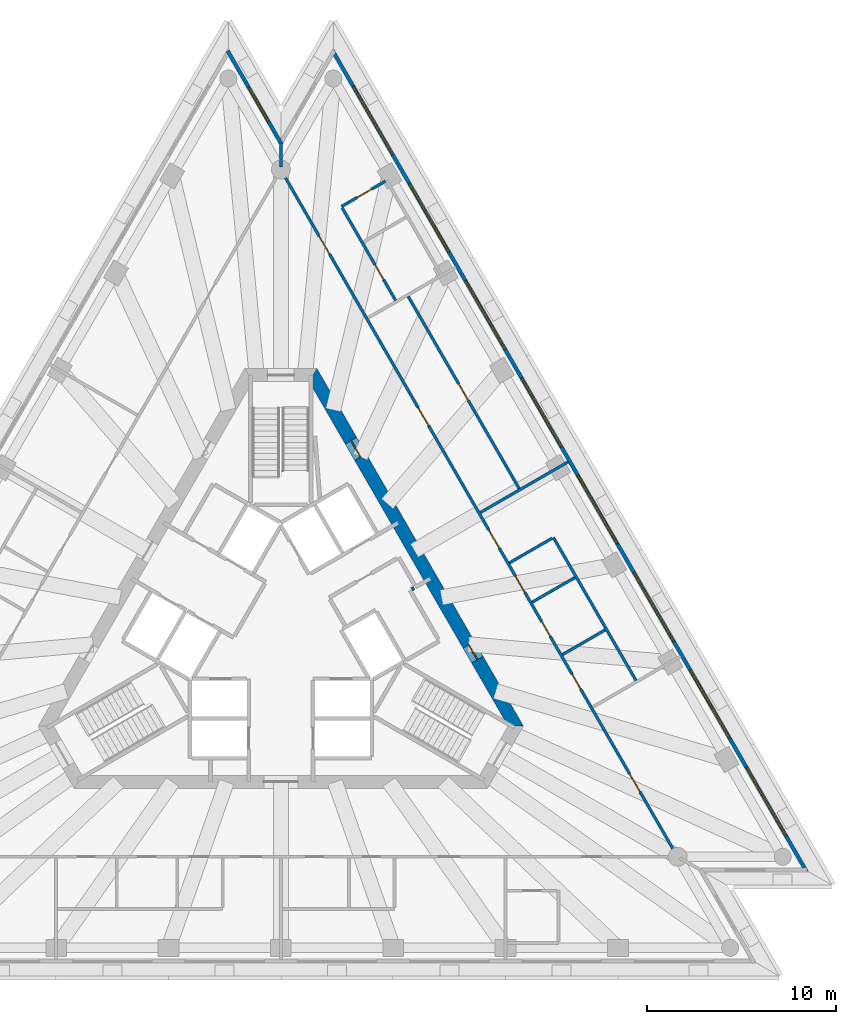
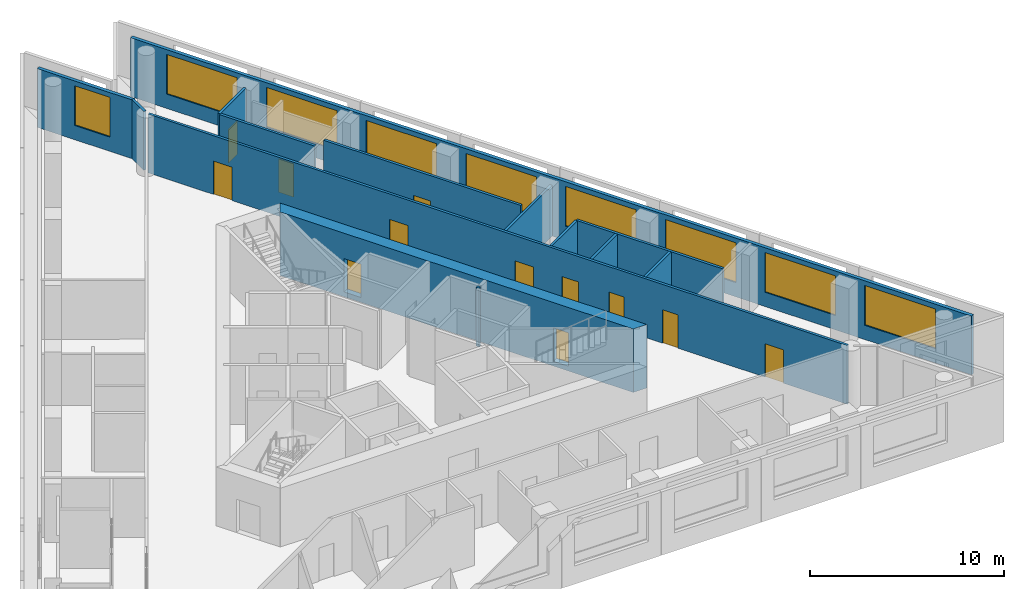
# One storey, part 6 of 9: 14 walls, 12 doors, 9 windows, 21 openings.
"""IFC4 building model written with IfcOpenShell, lengths in metres."""

from ifc_helpers import new_model, si_unit, direction, frame, frame_2d, origin, place, context, subcontext, project, spatial, polyline, rectangle, outline, extrude, material, layer, layer_set, layer_usage, type_object, element, fill, save


model = new_model("IFC4")

# Units and contexts
model_context = context("Model", 3, precision=1e-05, world=origin(), true_north=direction((0.0, 1.0)))
body_context = subcontext(model_context, "Body", "Model", "MODEL_VIEW")
ifc_project = project(units=[si_unit("LENGTHUNIT", "METRE"), si_unit("AREAUNIT", "SQUARE_METRE"), si_unit("VOLUMEUNIT", "CUBIC_METRE"), si_unit("PLANEANGLEUNIT", "RADIAN"), si_unit("MASSUNIT", "GRAM", prefix="KILO")], contexts=[model_context])

# Site, building, storey
site_placement = place(None, origin())
site = spatial("IfcSite", under=ifc_project, at=site_placement, CompositionType="ELEMENT")
building_placement = place(site_placement, origin())
building = spatial("IfcBuilding", under=site, at=building_placement, Name="Triada Interchange Tower", CompositionType="ELEMENT")
storey_placement = place(building_placement, frame((0.0, 0.0, 231.300048828125)))
storey = spatial("IfcBuildingStorey", under=building, at=storey_placement, Name="L54", CompositionType="ELEMENT", Elevation=231.300048828125)

# Wall
ifc_material_1 = material(Name="Concrete C30/37", Category="concrete")
ifc_layer_1 = layer(ifc_material_1, 0.199951171875)
ifc_layer_set_1 = layer_set([ifc_layer_1], Name="CORE WALL 200 EI 90")
wall_type_1 = type_object("IfcWallType", Name="CORE WALL 200 EI 90", PredefinedType="SOLIDWALL", material=ifc_layer_set_1)
wall_1_placement = place(storey_placement, frame((6.912109375, 2.028076171875, 0.0), z_axis=(0.0, 0.0, 1.0), x_axis=(0.866559367082, 0.499074005857, 0.0)))
element("IfcWall", 1, at=wall_1_placement, inside=storey, type_object=wall_type_1, Name="Wall L53 86", PredefinedType="SOLIDWALL", context=body_context, shape_type="SweptSolid", body=[
    extrude(rectangle(XDim=0.152099609375, YDim=0.199951171875, at=frame_2d((0.076171875, 0.0))), origin(), (0.0, 0.0, 1.0), 3.699951171875),
])

# Wall, openings, doors
ifc_material_2 = material(Name="Concrete C50/60", Category="concrete")
ifc_layer_2 = layer(ifc_material_2, 0.699951171875)
ifc_layer_set_2 = layer_set([ifc_layer_2], Name="Core wall C 700")
wall_type_2 = type_object("IfcWallType", Name="Core wall C 700", PredefinedType="SHEAR", material=ifc_layer_set_2)
wall_2_placement = place(storey_placement, frame((12.4130859375, -5.199951171875, -0.300048828125), z_axis=(0.0, 0.0, 1.0), x_axis=(-0.500011533395, 0.866018744874, 0.0)))
wall_2 = element("IfcWall", 2, at=wall_2_placement, inside=storey, type_object=wall_type_2, Name="Core wall WC06 L54", PredefinedType="SHEAR", context=body_context, shape_type="SweptSolid", body=[
    extrude(outline(polyline([(-0.201904296875, -0.35009765625), (1.781982421875, -0.35009765625), (3.76611328125, -0.35009765625), (5.75, -0.35009765625), (7.734130859375, -0.35009765625), (9.718017578125, -0.35009765625), (11.7021484375, -0.35009765625), (13.68603515625, -0.35009765625), (15.670166015625, -0.35009765625), (17.654052734375, -0.35009765625), (19.63818359375, -0.35009765625), (21.6220703125, -0.35009765625), (21.218017578125, 0.35009765625), (19.307373046875, 0.35009765625), (17.39697265625, 0.35009765625), (15.486328125, 0.35009765625), (13.57568359375, 0.35009765625), (11.665283203125, 0.35009765625), (9.754638671875, 0.35009765625), (7.84423828125, 0.35009765625), (5.93359375, 0.35009765625), (4.02294921875, 0.35009765625), (2.112548828125, 0.35009765625), (0.201904296875, 0.35009765625), (-0.201904296875, -0.35009765625)])), origin(), (0.0, 0.0, 1.0), 4.0),
])
opening_1_placement = place(wall_2_placement, frame((4.054931640625, 0.0, 0.300048828125)))
opening_1 = element("IfcOpeningElement", 3, at=opening_1_placement, cuts=wall_2, Name="Opening D53-45", PredefinedType="OPENING", context=body_context, shape_type="SweptSolid", body=[
    extrude(rectangle(XDim=0.89990234375, YDim=2.10009765625, at=frame_2d((0.449951171875, 1.050048828125))), frame((0.0, 0.360107421875, 0.0), z_axis=(0.0, -1.0, 0.0), x_axis=(1.0, 0.0, 0.0)), (0.0, 0.0, 1.0), 0.72021484375),
])
opening_2_placement = place(wall_2_placement, frame((16.4150390625, 0.0, 0.300048828125)))
opening_2 = element("IfcOpeningElement", 4, at=opening_2_placement, cuts=wall_2, Name="Opening D53-47", PredefinedType="OPENING", context=body_context, shape_type="SweptSolid", body=[
    extrude(rectangle(XDim=1.0, YDim=2.10009765625, at=frame_2d((0.5, 1.050048828125))), frame((0.0, 0.360107421875, 0.0), z_axis=(0.0, -1.0, 0.0), x_axis=(1.0, 0.0, 0.0)), (0.0, 0.0, 1.0), 0.72021484375),
])
ifc_material_3 = material(Name="Steel S235 door leaf", Category="steel")
door_type_1 = type_object("IfcDoorType", Name="SERVICE DOOR 1000 EI2 45-C5S200", OperationType="NOTDEFINED", PredefinedType="DOOR", material=ifc_material_3)
door_1_placement = place(opening_2_placement, origin())
door_1 = element("IfcDoor", 5, at=door_1_placement, inside=storey, type_object=door_type_1, Name="Door D53-47 L54", OperationType="SINGLE_SWING_RIGHT", OverallHeight=2.10009765625, OverallWidth=1.0, PredefinedType="DOOR", context=body_context, shape_type="SweptSolid", body=[
    extrude(rectangle(XDim=1.0, YDim=2.10009765625, at=frame_2d((0.5, 1.050048828125))), frame((0.0, 0.02490234375, 0.0), z_axis=(0.0, -1.0, 0.0), x_axis=(1.0, 0.0, 0.0)), (0.0, 0.0, 1.0), 0.050048828125),
])
fill(opening_2, door_1)
door_type_2 = type_object("IfcDoorType", Name="SERVICE DOOR 900 EI2 45-C5S200", OperationType="NOTDEFINED", PredefinedType="DOOR", material=ifc_material_3)
door_2_placement = place(opening_1_placement, origin())
door_2 = element("IfcDoor", 6, at=door_2_placement, inside=storey, type_object=door_type_2, Name="Door D53-45 L54", OperationType="SINGLE_SWING_RIGHT", OverallHeight=2.10009765625, OverallWidth=0.89990234375, PredefinedType="DOOR", context=body_context, shape_type="SweptSolid", body=[
    extrude(rectangle(XDim=0.89990234375, YDim=2.10009765625, at=frame_2d((0.449951171875, 1.050048828125))), frame((0.0, 0.02490234375, 0.0), z_axis=(0.0, -1.0, 0.0), x_axis=(1.0, 0.0, 0.0)), (0.0, 0.0, 1.0), 0.050048828125),
])
fill(opening_1, door_2)

# Wall, openings, windows
ifc_material_4 = material(Name="Cement board")
ifc_layer_3 = layer(ifc_material_4, 0.02001953125, Name="Cement board cladding")
ifc_material_5 = material(Name="Sheathing board")
ifc_layer_4 = layer(ifc_material_5, 0.014892578125, Name="Sheathing board")
ifc_material_6 = material(Name="Mineral wool")
ifc_layer_5 = layer(ifc_material_6, 0.14990234375, Name="Mineral wool between steel studs")
ifc_material_7 = material(Name="Gypsum board")
ifc_layer_6 = layer(ifc_material_7, 0.014892578125, Name="Plasterboard lining")
ifc_layer_set_3 = layer_set([ifc_layer_3, ifc_layer_4, ifc_layer_5, ifc_layer_6], Name="External wall 200")
ifc_layer_usage = layer_usage(ifc_layer_set_3, "AXIS2", "POSITIVE", -0.10009765625)
wall_type_3 = type_object("IfcWallType", Name="External wall 200", PredefinedType="ELEMENTEDWALL", material=ifc_layer_set_3)
wall_3_placement = place(storey_placement, frame((27.781982421875, -12.884033203125, 0.0), z_axis=(0.0, 0.0, 1.0), x_axis=(-0.500023345841, 0.866011924637, 0.0)))
wall_3 = element("IfcWall", 7, at=wall_3_placement, inside=storey, type_object=wall_type_3, material=ifc_layer_usage, Name="External wall L54 NE", PredefinedType="ELEMENTEDWALL", context=body_context, shape_type="SweptSolid", body=[
    extrude(rectangle(XDim=50.07763671875, YDim=0.199951171875, at=frame_2d((25.038818359375, 0.0))), origin(), (0.0, 0.0, 1.0), 3.699951171875),
])
opening_3_placement = place(wall_3_placement, frame((2.1708984375, 0.0, 0.89990234375)))
opening_3 = element("IfcOpeningElement", 8, at=opening_3_placement, cuts=wall_3, Name="Opening WC21", PredefinedType="OPENING", context=body_context, shape_type="SweptSolid", body=[
    extrude(rectangle(XDim=4.199951171875, YDim=2.5, at=frame_2d((2.10009765625, 1.25))), frame((0.0, 0.10986328125, 0.0), z_axis=(0.0, -1.0, 0.0), x_axis=(1.0, 0.0, 0.0)), (0.0, 0.0, 1.0), 0.219970703125),
])
opening_4_placement = place(wall_3_placement, frame((8.10791015625, 0.0, 0.89990234375)))
opening_4 = element("IfcOpeningElement", 9, at=opening_4_placement, cuts=wall_3, Name="Opening WC22", PredefinedType="OPENING", context=body_context, shape_type="SweptSolid", body=[
    extrude(rectangle(XDim=4.199951171875, YDim=2.5, at=frame_2d((2.10009765625, 1.25))), frame((0.0, 0.10986328125, 0.0), z_axis=(0.0, -1.0, 0.0), x_axis=(1.0, 0.0, 0.0)), (0.0, 0.0, 1.0), 0.219970703125),
])
opening_5_placement = place(wall_3_placement, frame((14.0439453125, 0.0, 0.89990234375)))
opening_5 = element("IfcOpeningElement", 10, at=opening_5_placement, cuts=wall_3, Name="Opening WC23", PredefinedType="OPENING", context=body_context, shape_type="SweptSolid", body=[
    extrude(rectangle(XDim=4.199951171875, YDim=2.5, at=frame_2d((2.10009765625, 1.25))), frame((0.0, 0.10986328125, 0.0), z_axis=(0.0, -1.0, 0.0), x_axis=(1.0, 0.0, 0.0)), (0.0, 0.0, 1.0), 0.219970703125),
])
opening_6_placement = place(wall_3_placement, frame((19.98095703125, 0.0, 0.89990234375)))
opening_6 = element("IfcOpeningElement", 11, at=opening_6_placement, cuts=wall_3, Name="Opening WC24", PredefinedType="OPENING", context=body_context, shape_type="SweptSolid", body=[
    extrude(rectangle(XDim=4.199951171875, YDim=2.5, at=frame_2d((2.10009765625, 1.25))), frame((0.0, 0.10986328125, 0.0), z_axis=(0.0, -1.0, 0.0), x_axis=(1.0, 0.0, 0.0)), (0.0, 0.0, 1.0), 0.219970703125),
])
opening_7_placement = place(wall_3_placement, frame((25.9169921875, 0.0, 0.89990234375)))
opening_7 = element("IfcOpeningElement", 12, at=opening_7_placement, cuts=wall_3, Name="Opening WC25", PredefinedType="OPENING", context=body_context, shape_type="SweptSolid", body=[
    extrude(rectangle(XDim=4.199951171875, YDim=2.5, at=frame_2d((2.10009765625, 1.25))), frame((0.0, 0.10986328125, 0.0), z_axis=(0.0, -1.0, 0.0), x_axis=(1.0, 0.0, 0.0)), (0.0, 0.0, 1.0), 0.219970703125),
])
opening_8_placement = place(wall_3_placement, frame((31.85400390625, 0.0, 0.89990234375)))
opening_8 = element("IfcOpeningElement", 13, at=opening_8_placement, cuts=wall_3, Name="Opening WC26", PredefinedType="OPENING", context=body_context, shape_type="SweptSolid", body=[
    extrude(rectangle(XDim=4.199951171875, YDim=2.5, at=frame_2d((2.10009765625, 1.25))), frame((0.0, 0.10986328125, 0.0), z_axis=(0.0, -1.0, 0.0), x_axis=(1.0, 0.0, 0.0)), (0.0, 0.0, 1.0), 0.219970703125),
])
opening_9_placement = place(wall_3_placement, frame((37.7900390625, 0.0, 0.89990234375)))
opening_9 = element("IfcOpeningElement", 14, at=opening_9_placement, cuts=wall_3, Name="Opening WC27", PredefinedType="OPENING", context=body_context, shape_type="SweptSolid", body=[
    extrude(rectangle(XDim=4.199951171875, YDim=2.5, at=frame_2d((2.10009765625, 1.25))), frame((0.0, 0.10986328125, 0.0), z_axis=(0.0, -1.0, 0.0), x_axis=(1.0, 0.0, 0.0)), (0.0, 0.0, 1.0), 0.219970703125),
])
opening_10_placement = place(wall_3_placement, frame((43.72705078125, 0.0, 0.89990234375)))
opening_10 = element("IfcOpeningElement", 15, at=opening_10_placement, cuts=wall_3, Name="Opening WC28", PredefinedType="OPENING", context=body_context, shape_type="SweptSolid", body=[
    extrude(rectangle(XDim=4.199951171875, YDim=2.5, at=frame_2d((2.10009765625, 1.25))), frame((0.0, 0.10986328125, 0.0), z_axis=(0.0, -1.0, 0.0), x_axis=(1.0, 0.0, 0.0)), (0.0, 0.0, 1.0), 0.219970703125),
])
ifc_material_8 = material(Name="Double glazed aluminium window", Category="aluminium")
window_type_1 = type_object("IfcWindowType", Name="Ribbon window C face", PartitioningType="SINGLE_PANEL", PredefinedType="WINDOW", material=ifc_material_8)
window_1_placement = place(opening_3_placement, origin())
window_1 = element("IfcWindow", 16, at=window_1_placement, inside=storey, type_object=window_type_1, Name="Window L54 NE 1", OverallHeight=2.5, OverallWidth=4.199951171875, PartitioningType="SINGLE_PANEL", PredefinedType="WINDOW", context=body_context, shape_type="SweptSolid", body=[
    extrude(rectangle(XDim=4.199951171875, YDim=2.5, at=frame_2d((2.10009765625, 1.25))), frame((0.0, 0.030029296875, 0.0), z_axis=(0.0, -1.0, 0.0), x_axis=(1.0, 0.0, 0.0)), (0.0, 0.0, 1.0), 0.06005859375),
])
fill(opening_3, window_1)
window_2_placement = place(opening_4_placement, origin())
window_2 = element("IfcWindow", 17, at=window_2_placement, inside=storey, type_object=window_type_1, Name="Window L54 NE 2", OverallHeight=2.5, OverallWidth=4.199951171875, PartitioningType="SINGLE_PANEL", PredefinedType="WINDOW", context=body_context, shape_type="SweptSolid", body=[
    extrude(rectangle(XDim=4.199951171875, YDim=2.5, at=frame_2d((2.10009765625, 1.25))), frame((0.0, 0.030029296875, 0.0), z_axis=(0.0, -1.0, 0.0), x_axis=(1.0, 0.0, 0.0)), (0.0, 0.0, 1.0), 0.06005859375),
])
fill(opening_4, window_2)
window_3_placement = place(opening_5_placement, origin())
window_3 = element("IfcWindow", 18, at=window_3_placement, inside=storey, type_object=window_type_1, Name="Window L54 NE 3", OverallHeight=2.5, OverallWidth=4.199951171875, PartitioningType="SINGLE_PANEL", PredefinedType="WINDOW", context=body_context, shape_type="SweptSolid", body=[
    extrude(rectangle(XDim=4.199951171875, YDim=2.5, at=frame_2d((2.10009765625, 1.25))), frame((0.0, 0.030029296875, 0.0), z_axis=(0.0, -1.0, 0.0), x_axis=(1.0, 0.0, 0.0)), (0.0, 0.0, 1.0), 0.06005859375),
])
fill(opening_5, window_3)
window_4_placement = place(opening_6_placement, origin())
window_4 = element("IfcWindow", 19, at=window_4_placement, inside=storey, type_object=window_type_1, Name="Window L54 NE 4", OverallHeight=2.5, OverallWidth=4.199951171875, PartitioningType="SINGLE_PANEL", PredefinedType="WINDOW", context=body_context, shape_type="SweptSolid", body=[
    extrude(rectangle(XDim=4.199951171875, YDim=2.5, at=frame_2d((2.10009765625, 1.25))), frame((0.0, 0.030029296875, 0.0), z_axis=(0.0, -1.0, 0.0), x_axis=(1.0, 0.0, 0.0)), (0.0, 0.0, 1.0), 0.06005859375),
])
fill(opening_6, window_4)
window_5_placement = place(opening_7_placement, origin())
window_5 = element("IfcWindow", 20, at=window_5_placement, inside=storey, type_object=window_type_1, Name="Window L54 NE 5", OverallHeight=2.5, OverallWidth=4.199951171875, PartitioningType="SINGLE_PANEL", PredefinedType="WINDOW", context=body_context, shape_type="SweptSolid", body=[
    extrude(rectangle(XDim=4.199951171875, YDim=2.5, at=frame_2d((2.10009765625, 1.25))), frame((0.0, 0.030029296875, 0.0), z_axis=(0.0, -1.0, 0.0), x_axis=(1.0, 0.0, 0.0)), (0.0, 0.0, 1.0), 0.06005859375),
])
fill(opening_7, window_5)
window_6_placement = place(opening_8_placement, origin())
window_6 = element("IfcWindow", 21, at=window_6_placement, inside=storey, type_object=window_type_1, Name="Window L54 NE 6", OverallHeight=2.5, OverallWidth=4.199951171875, PartitioningType="SINGLE_PANEL", PredefinedType="WINDOW", context=body_context, shape_type="SweptSolid", body=[
    extrude(rectangle(XDim=4.199951171875, YDim=2.5, at=frame_2d((2.10009765625, 1.25))), frame((0.0, 0.030029296875, 0.0), z_axis=(0.0, -1.0, 0.0), x_axis=(1.0, 0.0, 0.0)), (0.0, 0.0, 1.0), 0.06005859375),
])
fill(opening_8, window_6)
window_7_placement = place(opening_9_placement, origin())
window_7 = element("IfcWindow", 22, at=window_7_placement, inside=storey, type_object=window_type_1, Name="Window L54 NE 7", OverallHeight=2.5, OverallWidth=4.199951171875, PartitioningType="SINGLE_PANEL", PredefinedType="WINDOW", context=body_context, shape_type="SweptSolid", body=[
    extrude(rectangle(XDim=4.199951171875, YDim=2.5, at=frame_2d((2.10009765625, 1.25))), frame((0.0, 0.030029296875, 0.0), z_axis=(0.0, -1.0, 0.0), x_axis=(1.0, 0.0, 0.0)), (0.0, 0.0, 1.0), 0.06005859375),
])
fill(opening_9, window_7)
window_8_placement = place(opening_10_placement, origin())
window_8 = element("IfcWindow", 23, at=window_8_placement, inside=storey, type_object=window_type_1, Name="Window L54 NE 8", OverallHeight=2.5, OverallWidth=4.199951171875, PartitioningType="SINGLE_PANEL", PredefinedType="WINDOW", context=body_context, shape_type="SweptSolid", body=[
    extrude(rectangle(XDim=4.199951171875, YDim=2.5, at=frame_2d((2.10009765625, 1.25))), frame((0.0, 0.030029296875, 0.0), z_axis=(0.0, -1.0, 0.0), x_axis=(1.0, 0.0, 0.0)), (0.0, 0.0, 1.0), 0.06005859375),
])
fill(opening_10, window_8)

# Wall, opening, window
wall_4_placement = place(storey_placement, frame((0.044921875, 25.534912109375, 0.0), z_axis=(0.0, 0.0, 1.0), x_axis=(-0.49995298266, 0.866052547557, 0.0)))
wall_4 = element("IfcWall", 24, at=wall_4_placement, inside=storey, type_object=wall_type_3, material=ifc_layer_usage, Name="External wall L54 N-2", PredefinedType="ELEMENTEDWALL", context=body_context, shape_type="SweptSolid", body=[
    extrude(rectangle(XDim=5.71435546875, YDim=0.199951171875, at=frame_2d((2.857177734375, 0.0))), origin(), (0.0, 0.0, 1.0), 3.699951171875),
])
opening_11_placement = place(wall_4_placement, frame((1.389892578125, 0.0, 0.89990234375)))
opening_11 = element("IfcOpeningElement", 25, at=opening_11_placement, cuts=wall_4, Name="Opening WC30", PredefinedType="OPENING", context=body_context, shape_type="SweptSolid", body=[
    extrude(rectangle(XDim=2.10009765625, YDim=2.5, at=frame_2d((1.050048828125, 1.25))), frame((0.0, 0.10986328125, 0.0), z_axis=(0.0, -1.0, 0.0), x_axis=(1.0, 0.0, 0.0)), (0.0, 0.0, 1.0), 0.219970703125),
])
window_type_2 = type_object("IfcWindowType", Name="Ribbon window C pocket", PartitioningType="SINGLE_PANEL", PredefinedType="WINDOW", material=ifc_material_8)
window_9_placement = place(opening_11_placement, origin())
window_9 = element("IfcWindow", 26, at=window_9_placement, inside=storey, type_object=window_type_2, Name="Window L54 N-2 1", OverallHeight=2.5, OverallWidth=2.10009765625, PartitioningType="SINGLE_PANEL", PredefinedType="WINDOW", context=body_context, shape_type="SweptSolid", body=[
    extrude(rectangle(XDim=2.10009765625, YDim=2.5, at=frame_2d((1.050048828125, 1.25))), frame((0.0, 0.030029296875, 0.0), z_axis=(0.0, -1.0, 0.0), x_axis=(1.0, 0.0, 0.0)), (0.0, 0.0, 1.0), 0.06005859375),
])
fill(opening_11, window_9)

# Walls
ifc_material_9 = material(Name="Gypsum board partition")
ifc_layer_7 = layer(ifc_material_9, 0.14990234375)
ifc_layer_set_4 = layer_set([ifc_layer_7], Name="PARTITION 150 EI 180")
wall_type_4 = type_object("IfcWallType", Name="PARTITION 150 EI 180", PredefinedType="PARTITIONING", material=ifc_layer_set_4)
wall_5_placement = place(storey_placement, frame((10.5439453125, 6.0869140625, 0.0), z_axis=(0.0, 0.0, 1.0), x_axis=(0.866032438121, 0.499987815973, 0.0)))
element("IfcWall", 27, at=wall_5_placement, inside=storey, type_object=wall_type_4, Name="Wall L53 2", PredefinedType="PARTITIONING", context=body_context, shape_type="SweptSolid", body=[
    extrude(rectangle(XDim=5.362548828125, YDim=0.14990234375, at=frame_2d((2.68115234375, 0.0))), origin(), (0.0, 0.0, 1.0), 3.199951171875),
])
wall_6_placement = place(storey_placement, frame((0.0, 24.35009765625, 0.0), z_axis=(0.0, 0.0, 1.0), x_axis=(0.0, 1.0, 0.0)))
element("IfcWall", 28, at=wall_6_placement, inside=storey, type_object=wall_type_4, Name="Wall L53 19", PredefinedType="PARTITIONING", context=body_context, shape_type="SweptSolid", body=[
    extrude(rectangle(XDim=1.262939453125, YDim=0.14990234375, at=frame_2d((0.63134765625, 0.0))), origin(), (0.0, 0.0, 1.0), 3.699951171875),
])

# Wall, openings, doors
wall_7_placement = place(storey_placement, frame((0.074951171875, 24.070068359375, 0.0), z_axis=(0.0, 0.0, 1.0), x_axis=(0.49999939571, -0.866025752671, 0.0)))
wall_7 = element("IfcWall", 29, at=wall_7_placement, inside=storey, type_object=wall_type_4, Name="Wall L53 20", PredefinedType="PARTITIONING", context=body_context, shape_type="SweptSolid", body=[
    extrude(rectangle(XDim=41.6142578125, YDim=0.14990234375, at=frame_2d((20.80712890625, 0.0))), origin(), (0.0, 0.0, 1.0), 3.699951171875),
])
opening_12_placement = place(wall_7_placement, frame((36.714111328125, 0.0, 0.0)))
opening_12 = element("IfcOpeningElement", 30, at=opening_12_placement, cuts=wall_7, Name="Opening D53-21", PredefinedType="OPENING", context=body_context, shape_type="SweptSolid", body=[
    extrude(rectangle(XDim=1.10009765625, YDim=2.10009765625, at=frame_2d((0.550048828125, 1.050048828125))), frame((0.0, 0.0849609375, 0.0), z_axis=(0.0, -1.0, 0.0), x_axis=(1.0, 0.0, 0.0)), (0.0, 0.0, 1.0), 0.169921875),
])
opening_13_placement = place(wall_7_placement, frame((21.8310546875, 0.0, 0.0)))
opening_13 = element("IfcOpeningElement", 31, at=opening_13_placement, cuts=wall_7, Name="Opening D53-22", PredefinedType="OPENING", context=body_context, shape_type="SweptSolid", body=[
    extrude(rectangle(XDim=1.10009765625, YDim=2.10009765625, at=frame_2d((0.550048828125, 1.050048828125))), frame((0.0, 0.0849609375, 0.0), z_axis=(0.0, -1.0, 0.0), x_axis=(1.0, 0.0, 0.0)), (0.0, 0.0, 1.0), 0.169921875),
])
opening_14_placement = place(wall_7_placement, frame((30.631103515625, 0.0, 0.0)))
opening_14 = element("IfcOpeningElement", 32, at=opening_14_placement, cuts=wall_7, Name="Opening D53-23", PredefinedType="OPENING", context=body_context, shape_type="SweptSolid", body=[
    extrude(rectangle(XDim=0.89990234375, YDim=2.10009765625, at=frame_2d((0.449951171875, 1.050048828125))), frame((0.0, 0.0849609375, 0.0), z_axis=(0.0, -1.0, 0.0), x_axis=(1.0, 0.0, 0.0)), (0.0, 0.0, 1.0), 0.169921875),
])
opening_15_placement = place(wall_7_placement, frame((27.430908203125, 0.0, 0.0)))
opening_15 = element("IfcOpeningElement", 33, at=opening_15_placement, cuts=wall_7, Name="Opening D53-24", PredefinedType="OPENING", context=body_context, shape_type="SweptSolid", body=[
    extrude(rectangle(XDim=0.89990234375, YDim=2.10009765625, at=frame_2d((0.449951171875, 1.050048828125))), frame((0.0, 0.0849609375, 0.0), z_axis=(0.0, -1.0, 0.0), x_axis=(1.0, 0.0, 0.0)), (0.0, 0.0, 1.0), 0.169921875),
])
opening_16_placement = place(wall_7_placement, frame((24.631103515625, 0.0, 0.0)))
opening_16 = element("IfcOpeningElement", 34, at=opening_16_placement, cuts=wall_7, Name="Opening D53-25", PredefinedType="OPENING", context=body_context, shape_type="SweptSolid", body=[
    extrude(rectangle(XDim=1.0, YDim=2.10009765625, at=frame_2d((0.5, 1.050048828125))), frame((0.0, 0.0849609375, 0.0), z_axis=(0.0, -1.0, 0.0), x_axis=(1.0, 0.0, 0.0)), (0.0, 0.0, 1.0), 0.169921875),
])
opening_17_placement = place(wall_7_placement, frame((14.35791015625, 0.0, 0.0)))
opening_17 = element("IfcOpeningElement", 35, at=opening_17_placement, cuts=wall_7, Name="Opening D53-26", PredefinedType="OPENING", context=body_context, shape_type="SweptSolid", body=[
    extrude(rectangle(XDim=1.10009765625, YDim=2.10009765625, at=frame_2d((0.550048828125, 1.050048828125))), frame((0.0, 0.0849609375, 0.0), z_axis=(0.0, -1.0, 0.0), x_axis=(1.0, 0.0, 0.0)), (0.0, 0.0, 1.0), 0.169921875),
])
opening_18_placement = place(wall_7_placement, frame((3.885009765625, 0.0, 0.0)))
opening_18 = element("IfcOpeningElement", 36, at=opening_18_placement, cuts=wall_7, Name="Opening D53-28", PredefinedType="OPENING", context=body_context, shape_type="SweptSolid", body=[
    extrude(rectangle(XDim=1.10009765625, YDim=2.10009765625, at=frame_2d((0.550048828125, 1.050048828125))), frame((0.0, 0.0849609375, 0.0), z_axis=(0.0, -1.0, 0.0), x_axis=(1.0, 0.0, 0.0)), (0.0, 0.0, 1.0), 0.169921875),
])
door_type_3 = type_object("IfcDoorType", Name="ROOM DOOR 1000 EI2 90-C5S200", OperationType="NOTDEFINED", PredefinedType="DOOR", material=ifc_material_3)
door_3_placement = place(opening_16_placement, origin())
door_3 = element("IfcDoor", 37, at=door_3_placement, inside=storey, type_object=door_type_3, Name="Door D53-25 L54", OperationType="SINGLE_SWING_LEFT", OverallHeight=2.10009765625, OverallWidth=1.0, PredefinedType="DOOR", context=body_context, shape_type="SweptSolid", body=[
    extrude(rectangle(XDim=1.0, YDim=2.10009765625, at=frame_2d((0.5, 1.050048828125))), frame((0.0, 0.02490234375, 0.0), z_axis=(0.0, -1.0, 0.0), x_axis=(1.0, 0.0, 0.0)), (0.0, 0.0, 1.0), 0.050048828125),
])
fill(opening_16, door_3)
door_type_4 = type_object("IfcDoorType", Name="ROOM DOOR 900 EI2 90-C5S200", OperationType="NOTDEFINED", PredefinedType="DOOR", material=ifc_material_3)
door_4_placement = place(opening_14_placement, origin())
door_4 = element("IfcDoor", 38, at=door_4_placement, inside=storey, type_object=door_type_4, Name="Door D53-23 L54", OperationType="SINGLE_SWING_RIGHT", OverallHeight=2.10009765625, OverallWidth=0.89990234375, PredefinedType="DOOR", context=body_context, shape_type="SweptSolid", body=[
    extrude(rectangle(XDim=0.89990234375, YDim=2.10009765625, at=frame_2d((0.449951171875, 1.050048828125))), frame((0.0, 0.02490234375, 0.0), z_axis=(0.0, -1.0, 0.0), x_axis=(1.0, 0.0, 0.0)), (0.0, 0.0, 1.0), 0.050048828125),
])
fill(opening_14, door_4)
door_5_placement = place(opening_15_placement, origin())
door_5 = element("IfcDoor", 39, at=door_5_placement, inside=storey, type_object=door_type_4, Name="Door D53-24 L54", OperationType="SINGLE_SWING_RIGHT", OverallHeight=2.10009765625, OverallWidth=0.89990234375, PredefinedType="DOOR", context=body_context, shape_type="SweptSolid", body=[
    extrude(rectangle(XDim=0.89990234375, YDim=2.10009765625, at=frame_2d((0.449951171875, 1.050048828125))), frame((0.0, 0.02490234375, 0.0), z_axis=(0.0, -1.0, 0.0), x_axis=(1.0, 0.0, 0.0)), (0.0, 0.0, 1.0), 0.050048828125),
])
fill(opening_15, door_5)
door_type_5 = type_object("IfcDoorType", Name="TENANCY ENTRANCE DOOR 1100 EI2 90-C5S200", OperationType="NOTDEFINED", PredefinedType="DOOR", material=ifc_material_3)
door_6_placement = place(opening_12_placement, origin())
door_6 = element("IfcDoor", 40, at=door_6_placement, inside=storey, type_object=door_type_5, Name="Door D53-21 L54", OperationType="SINGLE_SWING_RIGHT", OverallHeight=2.10009765625, OverallWidth=1.10009765625, PredefinedType="DOOR", context=body_context, shape_type="SweptSolid", body=[
    extrude(rectangle(XDim=1.10009765625, YDim=2.10009765625, at=frame_2d((0.550048828125, 1.050048828125))), frame((0.0, 0.02490234375, 0.0), z_axis=(0.0, -1.0, 0.0), x_axis=(1.0, 0.0, 0.0)), (0.0, 0.0, 1.0), 0.050048828125),
])
fill(opening_12, door_6)
door_7_placement = place(opening_13_placement, origin())
door_7 = element("IfcDoor", 41, at=door_7_placement, inside=storey, type_object=door_type_5, Name="Door D53-22 L54", OperationType="SINGLE_SWING_LEFT", OverallHeight=2.10009765625, OverallWidth=1.10009765625, PredefinedType="DOOR", context=body_context, shape_type="SweptSolid", body=[
    extrude(rectangle(XDim=1.10009765625, YDim=2.10009765625, at=frame_2d((0.550048828125, 1.050048828125))), frame((0.0, 0.02490234375, 0.0), z_axis=(0.0, -1.0, 0.0), x_axis=(1.0, 0.0, 0.0)), (0.0, 0.0, 1.0), 0.050048828125),
])
fill(opening_13, door_7)
door_8_placement = place(opening_17_placement, origin())
door_8 = element("IfcDoor", 42, at=door_8_placement, inside=storey, type_object=door_type_5, Name="Door D53-26 L54", OperationType="SINGLE_SWING_LEFT", OverallHeight=2.10009765625, OverallWidth=1.10009765625, PredefinedType="DOOR", context=body_context, shape_type="SweptSolid", body=[
    extrude(rectangle(XDim=1.10009765625, YDim=2.10009765625, at=frame_2d((0.550048828125, 1.050048828125))), frame((0.0, 0.02490234375, 0.0), z_axis=(0.0, -1.0, 0.0), x_axis=(1.0, 0.0, 0.0)), (0.0, 0.0, 1.0), 0.050048828125),
])
fill(opening_17, door_8)
door_9_placement = place(opening_18_placement, origin())
door_9 = element("IfcDoor", 43, at=door_9_placement, inside=storey, type_object=door_type_5, Name="Door D53-28 L54", OperationType="SINGLE_SWING_LEFT", OverallHeight=2.10009765625, OverallWidth=1.10009765625, PredefinedType="DOOR", context=body_context, shape_type="SweptSolid", body=[
    extrude(rectangle(XDim=1.10009765625, YDim=2.10009765625, at=frame_2d((0.550048828125, 1.050048828125))), frame((0.0, 0.02490234375, 0.0), z_axis=(0.0, -1.0, 0.0), x_axis=(1.0, 0.0, 0.0)), (0.0, 0.0, 1.0), 0.050048828125),
])
fill(opening_18, door_9)

# Walls
wall_8_placement = place(storey_placement, frame((14.404052734375, 4.76806640625, 0.0), z_axis=(0.0, 0.0, 1.0), x_axis=(0.500042162787, -0.86600105972, 0.0)))
element("IfcWall", 44, at=wall_8_placement, inside=storey, type_object=wall_type_4, Name="Wall L53 25", PredefinedType="PARTITIONING", context=body_context, shape_type="SweptSolid", body=[
    extrude(rectangle(XDim=8.725341796875, YDim=0.14990234375, at=frame_2d((4.36279296875, 0.0))), origin(), (0.0, 0.0, 1.0), 3.699951171875),
])
for number, where, z_axis, x_axis, name in (
    (45, (12.080078125, 3.426025390625, 0.0), (0.0, 0.0, 1.0), (0.8660749285, 0.499914210863, 0.0), "Wall L53 26"),
    (46, (13.280029296875, 1.347900390625, 0.0), (0.0, 0.0, 1.0), (0.866034402474, 0.499984413489, 0.0), "Wall L53 27"),
):
    element("IfcWall", number, at=place(storey_placement, frame(where, z_axis=z_axis, x_axis=x_axis)), inside=storey, type_object=wall_type_4, Name=name, PredefinedType="PARTITIONING", context=body_context, shape_type="SweptSolid", body=[
        extrude(rectangle(XDim=2.6083984375, YDim=0.14990234375, at=frame_2d((1.30419921875, 0.0))), origin(), (0.0, 0.0, 1.0), 3.699951171875),
    ])
wall_9_placement = place(storey_placement, frame((14.8798828125, -1.424072265625, 0.0), z_axis=(0.0, 0.0, 1.0), x_axis=(0.865872279416, 0.500265125447, 0.0)))
element("IfcWall", 47, at=wall_9_placement, inside=storey, type_object=wall_type_4, Name="Wall L53 28", PredefinedType="PARTITIONING", context=body_context, shape_type="SweptSolid", body=[
    extrude(rectangle(XDim=2.60888671875, YDim=0.14990234375, at=frame_2d((1.304443359375, 0.0))), origin(), (0.0, 0.0, 1.0), 3.699951171875),
])

# Wall, opening, door
ifc_layer_8 = layer(ifc_material_9, 0.14990234375)
ifc_layer_set_5 = layer_set([ifc_layer_8], Name="PARTITION 150 EI 90")
wall_type_5 = type_object("IfcWallType", Name="PARTITION 150 EI 90", PredefinedType="PARTITIONING", material=ifc_layer_set_5)
wall_10_placement = place(storey_placement, frame((3.200927734375, 22.2548828125, 0.0), z_axis=(0.0, 0.0, 1.0), x_axis=(0.865978018799, 0.500082064223, 0.0)))
wall_10 = element("IfcWall", 48, at=wall_10_placement, inside=storey, type_object=wall_type_5, Name="Wall L53 36", PredefinedType="PARTITIONING", context=body_context, shape_type="SweptSolid", body=[
    extrude(rectangle(XDim=2.68359375, YDim=0.14990234375, at=frame_2d((1.341796875, 0.0))), origin(), (0.0, 0.0, 1.0), 3.699951171875),
])
opening_19_placement = place(wall_10_placement, frame((0.949951171875, 0.0, 0.0)))
opening_19 = element("IfcOpeningElement", 49, at=opening_19_placement, cuts=wall_10, Name="Opening D53-30", PredefinedType="OPENING", context=body_context, shape_type="SweptSolid", body=[
    extrude(rectangle(XDim=0.89990234375, YDim=2.10009765625, at=frame_2d((0.449951171875, 1.050048828125))), frame((0.0, 0.0849609375, 0.0), z_axis=(0.0, -1.0, 0.0), x_axis=(1.0, 0.0, 0.0)), (0.0, 0.0, 1.0), 0.169921875),
])
door_10_placement = place(opening_19_placement, origin())
door_10 = element("IfcDoor", 50, at=door_10_placement, inside=storey, type_object=door_type_2, Name="Door D53-30 L54", OperationType="SINGLE_SWING_LEFT", OverallHeight=2.10009765625, OverallWidth=0.89990234375, PredefinedType="DOOR", context=body_context, shape_type="SweptSolid", body=[
    extrude(rectangle(XDim=0.89990234375, YDim=2.10009765625, at=frame_2d((0.449951171875, 1.050048828125))), frame((0.0, 0.02490234375, 0.0), z_axis=(0.0, -1.0, 0.0), x_axis=(1.0, 0.0, 0.0)), (0.0, 0.0, 1.0), 0.050048828125),
])
fill(opening_19, door_10)

wall_11_placement = place(storey_placement, frame((3.239013671875, 22.18994140625, 0.0), z_axis=(0.0, 0.0, 1.0), x_axis=(0.500010476433, -0.866019355129, 0.0)))
wall_11 = element("IfcWall", 51, at=wall_11_placement, inside=storey, type_object=wall_type_5, Name="Wall L53 37", PredefinedType="PARTITIONING", context=body_context, shape_type="SweptSolid", body=[
    extrude(rectangle(XDim=5.64990234375, YDim=0.14990234375, at=frame_2d((2.824951171875, 0.0))), origin(), (0.0, 0.0, 1.0), 3.699951171875),
])
opening_20_placement = place(wall_11_placement, frame((3.47412109375, 0.0, 0.0)))
opening_20 = element("IfcOpeningElement", 52, at=opening_20_placement, cuts=wall_11, Name="Opening D53-29", PredefinedType="OPENING", context=body_context, shape_type="SweptSolid", body=[
    extrude(rectangle(XDim=0.89990234375, YDim=2.10009765625, at=frame_2d((0.449951171875, 1.050048828125))), frame((0.0, 0.0849609375, 0.0), z_axis=(0.0, -1.0, 0.0), x_axis=(1.0, 0.0, 0.0)), (0.0, 0.0, 1.0), 0.169921875),
])
door_type_6 = type_object("IfcDoorType", Name="ROOM DOOR 900 EI2 45-C5S200", OperationType="NOTDEFINED", PredefinedType="DOOR", material=ifc_material_3)
door_11_placement = place(opening_20_placement, origin())
door_11 = element("IfcDoor", 53, at=door_11_placement, inside=storey, type_object=door_type_6, Name="Door D53-29 L54", OperationType="SINGLE_SWING_RIGHT", OverallHeight=2.10009765625, OverallWidth=0.89990234375, PredefinedType="DOOR", context=body_context, shape_type="SweptSolid", body=[
    extrude(rectangle(XDim=0.89990234375, YDim=2.10009765625, at=frame_2d((0.449951171875, 1.050048828125))), frame((0.0, 0.02490234375, 0.0), z_axis=(0.0, -1.0, 0.0), x_axis=(1.0, 0.0, 0.0)), (0.0, 0.0, 1.0), 0.050048828125),
])
fill(opening_20, door_11)

wall_12_placement = place(storey_placement, frame((6.72998046875, 17.509033203125, 0.0), z_axis=(0.0, 0.0, 1.0), x_axis=(0.500011469263, -0.866018781901, 0.0)))
wall_12 = element("IfcWall", 54, at=wall_12_placement, inside=storey, type_object=wall_type_5, Name="Wall L53 38", PredefinedType="PARTITIONING", context=body_context, shape_type="SweptSolid", body=[
    extrude(rectangle(XDim=11.723876953125, YDim=0.14990234375, at=frame_2d((5.86181640625, 0.0))), origin(), (0.0, 0.0, 1.0), 3.699951171875),
])
opening_21_placement = place(wall_12_placement, frame((5.34912109375, 0.0, 0.0)))
opening_21 = element("IfcOpeningElement", 55, at=opening_21_placement, cuts=wall_12, Name="Opening D53-27", PredefinedType="OPENING", context=body_context, shape_type="SweptSolid", body=[
    extrude(rectangle(XDim=1.0, YDim=2.10009765625, at=frame_2d((0.5, 1.050048828125))), frame((0.0, 0.0849609375, 0.0), z_axis=(0.0, -1.0, 0.0), x_axis=(1.0, 0.0, 0.0)), (0.0, 0.0, 1.0), 0.169921875),
])
door_type_7 = type_object("IfcDoorType", Name="ROOM DOOR 1000 EI2 45-C5S200", OperationType="NOTDEFINED", PredefinedType="DOOR", material=ifc_material_3)
door_12_placement = place(opening_21_placement, origin())
door_12 = element("IfcDoor", 56, at=door_12_placement, inside=storey, type_object=door_type_7, Name="Door D53-27 L54", OperationType="SINGLE_SWING_RIGHT", OverallHeight=2.10009765625, OverallWidth=1.0, PredefinedType="DOOR", context=body_context, shape_type="SweptSolid", body=[
    extrude(rectangle(XDim=1.0, YDim=2.10009765625, at=frame_2d((0.5, 1.050048828125))), frame((0.0, 0.02490234375, 0.0), z_axis=(0.0, -1.0, 0.0), x_axis=(1.0, 0.0, 0.0)), (0.0, 0.0, 1.0), 0.050048828125),
])
fill(opening_21, door_12)

save(model, "model.ifc")
